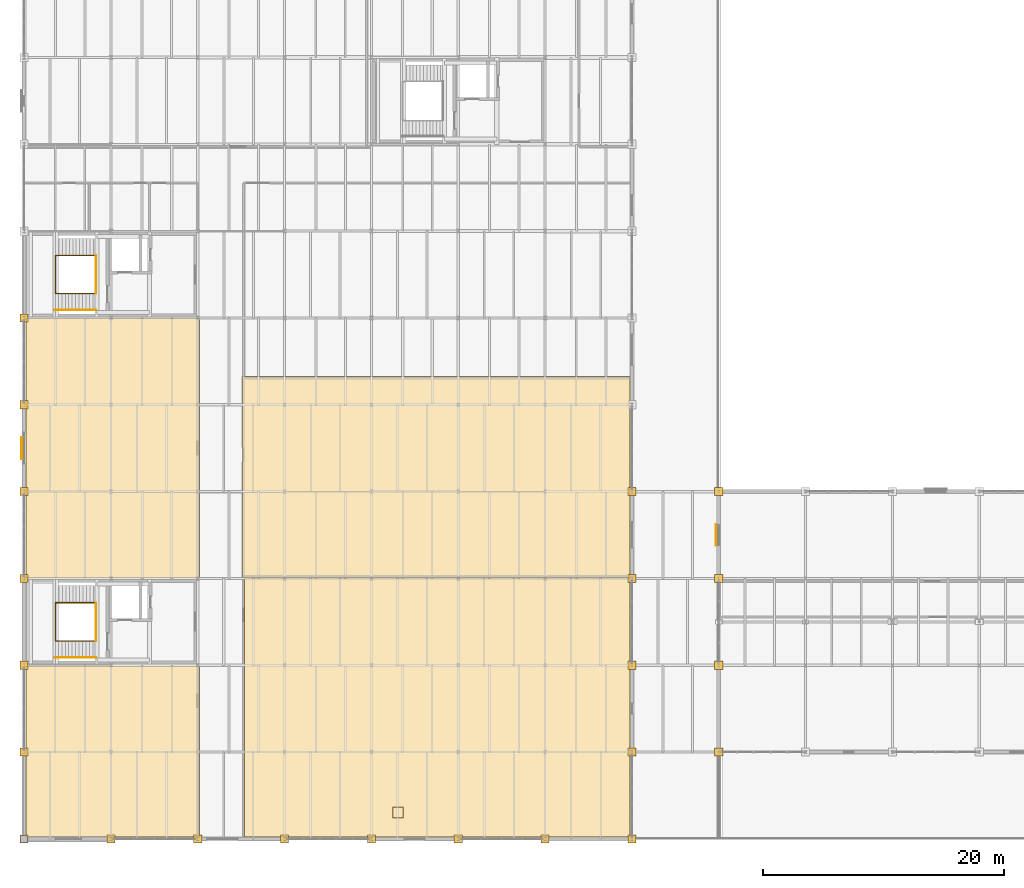
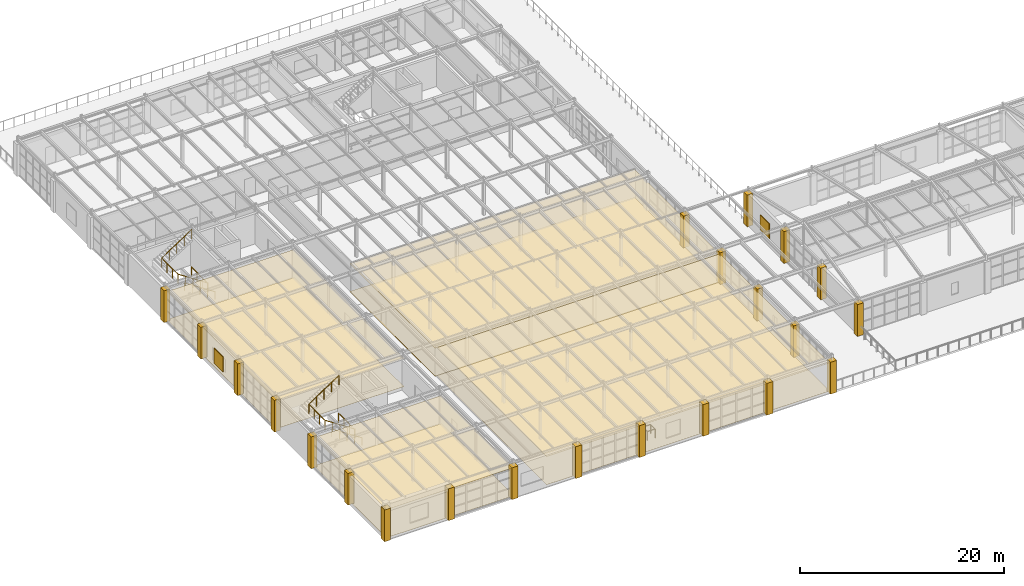
# One storey, part 97 of 101: 30 coverings, 7 railings, 2 shading devices.
"""IFC4 building model written with IfcOpenShell, lengths in metres."""

from ifc_helpers import new_model, si_unit, direction, frame, origin, origin_2d, place, context, subcontext, project, spatial, polyline, rectangle, circle, outline, extrude, material, layer, layer_set, type_object, element, save


model = new_model("IFC4")

# Units and contexts
model_context = context("Model", 3, precision=1e-05, world=origin(), true_north=direction((0.0, 1.0)))
body_context = subcontext(model_context, "Body", "Model", "MODEL_VIEW")
ifc_project = project(units=[si_unit("LENGTHUNIT", "METRE"), si_unit("AREAUNIT", "SQUARE_METRE"), si_unit("VOLUMEUNIT", "CUBIC_METRE"), si_unit("PLANEANGLEUNIT", "RADIAN"), si_unit("MASSUNIT", "GRAM", prefix="KILO")], contexts=[model_context])

# Site, building, storey
site_placement = place(None, origin())
site = spatial("IfcSite", under=ifc_project, at=site_placement, CompositionType="ELEMENT")
building_placement = place(site_placement, origin())
building = spatial("IfcBuilding", under=site, at=building_placement, Name="Kemerveld Promenade Tramway Depot", CompositionType="ELEMENT")
storey_placement = place(building_placement, frame((0.0, 0.0, 9.89990234375)))
storey = spatial("IfcBuildingStorey", under=building, at=storey_placement, Name="L02", CompositionType="ELEMENT", Elevation=9.89990234375)

# Coverings
ifc_material_1 = material(Name="Perforated mineral-fibre acoustic ceiling")
ifc_layer_1 = layer(ifc_material_1, 0.02490234375)
ifc_layer_set_1 = layer_set([ifc_layer_1], Name="COV-CEIL-AC")
covering_type_1 = type_object("IfcCoveringType", Name="COV-CEIL-AC", PredefinedType="CEILING", material=ifc_layer_set_1)
covering_1_placement = place(storey_placement, frame((0.0, 0.0, 3.35498046875)))
element("IfcCovering", 1, at=covering_1_placement, inside=storey, type_object=covering_type_1, Name="CEIL-RM-L02-V5-SIM", PredefinedType="CEILING", context=body_context, shape_type="SweptSolid", body=[
    extrude(outline(polyline([(18.257568359375, 0.14990234375), (50.25, 0.14990234375), (50.25, 21.949951171875), (18.257568359375, 21.949951171875), (18.257568359375, 0.14990234375)])), origin(), (0.0, 0.0, 1.0), 0.025146484375),
])
covering_2_placement = place(storey_placement, frame((0.0, 0.0, 3.35498046875)))
element("IfcCovering", 2, at=covering_2_placement, inside=storey, type_object=covering_type_1, Name="CEIL-RM-L02-V5-TR1", PredefinedType="CEILING", context=body_context, shape_type="SweptSolid", body=[
    extrude(outline(polyline([(0.14990234375, 0.14990234375), (14.550048828125, 0.14990234375), (14.550048828125, 14.35009765625), (0.14990234375, 14.35009765625), (0.14990234375, 0.14990234375)])), origin(), (0.0, 0.0, 1.0), 0.025146484375),
])
covering_3_placement = place(storey_placement, frame((0.0, 0.0, 3.35498046875)))
element("IfcCovering", 3, at=covering_3_placement, inside=storey, type_object=covering_type_1, Name="CEIL-RM-L02-V5-TR2", PredefinedType="CEILING", context=body_context, shape_type="SweptSolid", body=[
    extrude(outline(polyline([(0.14990234375, 21.64990234375), (14.550048828125, 21.64990234375), (14.550048828125, 43.14990234375), (0.14990234375, 43.14990234375), (0.14990234375, 21.64990234375)])), origin(), (0.0, 0.0, 1.0), 0.025146484375),
])
covering_4_placement = place(storey_placement, frame((0.0, 0.0, 3.35498046875)))
element("IfcCovering", 4, at=covering_4_placement, inside=storey, type_object=covering_type_1, Name="CEIL-RM-L02-V5-TR3", PredefinedType="CEILING", context=body_context, shape_type="SweptSolid", body=[
    extrude(outline(polyline([(18.050048828125, 21.64990234375), (50.25, 21.64990234375), (50.25, 38.35009765625), (18.050048828125, 38.35009765625), (18.050048828125, 21.64990234375)])), origin(), (0.0, 0.0, 1.0), 0.025146484375),
])
ifc_material_2 = material(Name="Dressed Harare granite ashlar cladding", Category="masonry")
ifc_layer_2 = layer(ifc_material_2, 0.050048828125)
ifc_layer_set_2 = layer_set([ifc_layer_2], Name="COV-CLAD-GRAN")
covering_type_2 = type_object("IfcCoveringType", Name="COV-CLAD-GRAN", PredefinedType="CLADDING", material=ifc_layer_set_2)
covering_5_placement = place(storey_placement, origin())
element("IfcCovering", 5, at=covering_5_placement, inside=storey, type_object=covering_type_2, Name="CLAD-PIER-L02-293", PredefinedType="CLADDING", context=body_context, shape_type="SweptSolid", body=[
    extrude(outline(polyline([(-0.340087890625, -0.340087890625), (0.340087890625, -0.340087890625), (0.340087890625, 0.340087890625), (-0.340087890625, 0.340087890625), (-0.340087890625, -0.340087890625)])), origin(), (0.0, 0.0, 1.0), 3.800048828125),
])
covering_6_placement = place(storey_placement, origin())
element("IfcCovering", 6, at=covering_6_placement, inside=storey, type_object=covering_type_2, Name="CLAD-PIER-L02-294", PredefinedType="CLADDING", context=body_context, shape_type="SweptSolid", body=[
    extrude(outline(polyline([(-0.340087890625, 6.860107421875), (0.340087890625, 6.860107421875), (0.340087890625, 7.5400390625), (-0.340087890625, 7.5400390625), (-0.340087890625, 6.860107421875)])), origin(), (0.0, 0.0, 1.0), 3.800048828125),
])
covering_7_placement = place(storey_placement, origin())
element("IfcCovering", 7, at=covering_7_placement, inside=storey, type_object=covering_type_2, Name="CLAD-PIER-L02-295", PredefinedType="CLADDING", context=body_context, shape_type="SweptSolid", body=[
    extrude(outline(polyline([(-0.340087890625, 14.06005859375), (0.340087890625, 14.06005859375), (0.340087890625, 14.739990234375), (-0.340087890625, 14.739990234375), (-0.340087890625, 14.06005859375)])), origin(), (0.0, 0.0, 1.0), 3.800048828125),
])
covering_8_placement = place(storey_placement, origin())
element("IfcCovering", 8, at=covering_8_placement, inside=storey, type_object=covering_type_2, Name="CLAD-PIER-L02-296", PredefinedType="CLADDING", context=body_context, shape_type="SweptSolid", body=[
    extrude(outline(polyline([(-0.340087890625, 21.260009765625), (0.340087890625, 21.260009765625), (0.340087890625, 21.93994140625), (-0.340087890625, 21.93994140625), (-0.340087890625, 21.260009765625)])), origin(), (0.0, 0.0, 1.0), 3.800048828125),
])
covering_9_placement = place(storey_placement, origin())
element("IfcCovering", 9, at=covering_9_placement, inside=storey, type_object=covering_type_2, Name="CLAD-PIER-L02-297", PredefinedType="CLADDING", context=body_context, shape_type="SweptSolid", body=[
    extrude(outline(polyline([(-0.340087890625, 28.4599609375), (0.340087890625, 28.4599609375), (0.340087890625, 29.139892578125), (-0.340087890625, 29.139892578125), (-0.340087890625, 28.4599609375)])), origin(), (0.0, 0.0, 1.0), 3.800048828125),
])
covering_10_placement = place(storey_placement, origin())
element("IfcCovering", 10, at=covering_10_placement, inside=storey, type_object=covering_type_2, Name="CLAD-PIER-L02-298", PredefinedType="CLADDING", context=body_context, shape_type="SweptSolid", body=[
    extrude(outline(polyline([(-0.340087890625, 35.659912109375), (0.340087890625, 35.659912109375), (0.340087890625, 36.340087890625), (-0.340087890625, 36.340087890625), (-0.340087890625, 35.659912109375)])), origin(), (0.0, 0.0, 1.0), 3.800048828125),
])
covering_11_placement = place(storey_placement, origin())
element("IfcCovering", 11, at=covering_11_placement, inside=storey, type_object=covering_type_2, Name="CLAD-PIER-L02-299", PredefinedType="CLADDING", context=body_context, shape_type="SweptSolid", body=[
    extrude(outline(polyline([(-0.340087890625, 42.860107421875), (0.340087890625, 42.860107421875), (0.340087890625, 43.5400390625), (-0.340087890625, 43.5400390625), (-0.340087890625, 42.860107421875)])), origin(), (0.0, 0.0, 1.0), 3.800048828125),
])
covering_12_placement = place(storey_placement, origin())
element("IfcCovering", 12, at=covering_12_placement, inside=storey, type_object=covering_type_2, Name="CLAD-PIER-L02-316", PredefinedType="CLADDING", context=body_context, shape_type="SweptSolid", body=[
    extrude(outline(polyline([(50.06005859375, 28.4599609375), (50.739990234375, 28.4599609375), (50.739990234375, 29.139892578125), (50.06005859375, 29.139892578125), (50.06005859375, 28.4599609375)])), origin(), (0.0, 0.0, 1.0), 3.800048828125),
])
covering_13_placement = place(storey_placement, origin())
element("IfcCovering", 13, at=covering_13_placement, inside=storey, type_object=covering_type_2, Name="CLAD-PIER-L02-317", PredefinedType="CLADDING", context=body_context, shape_type="SweptSolid", body=[
    extrude(outline(polyline([(50.06005859375, 21.260009765625), (50.739990234375, 21.260009765625), (50.739990234375, 21.93994140625), (50.06005859375, 21.93994140625), (50.06005859375, 21.260009765625)])), origin(), (0.0, 0.0, 1.0), 3.800048828125),
])
covering_14_placement = place(storey_placement, origin())
element("IfcCovering", 14, at=covering_14_placement, inside=storey, type_object=covering_type_2, Name="CLAD-PIER-L02-318", PredefinedType="CLADDING", context=body_context, shape_type="SweptSolid", body=[
    extrude(outline(polyline([(50.06005859375, 14.06005859375), (50.739990234375, 14.06005859375), (50.739990234375, 14.739990234375), (50.06005859375, 14.739990234375), (50.06005859375, 14.06005859375)])), origin(), (0.0, 0.0, 1.0), 3.800048828125),
])
covering_15_placement = place(storey_placement, origin())
element("IfcCovering", 15, at=covering_15_placement, inside=storey, type_object=covering_type_2, Name="CLAD-PIER-L02-319", PredefinedType="CLADDING", context=body_context, shape_type="SweptSolid", body=[
    extrude(outline(polyline([(50.06005859375, 6.860107421875), (50.739990234375, 6.860107421875), (50.739990234375, 7.5400390625), (50.06005859375, 7.5400390625), (50.06005859375, 6.860107421875)])), origin(), (0.0, 0.0, 1.0), 3.800048828125),
])
covering_16_placement = place(storey_placement, origin())
element("IfcCovering", 16, at=covering_16_placement, inside=storey, type_object=covering_type_2, Name="CLAD-PIER-L02-320", PredefinedType="CLADDING", context=body_context, shape_type="SweptSolid", body=[
    extrude(outline(polyline([(50.06005859375, -0.340087890625), (50.739990234375, -0.340087890625), (50.739990234375, 0.340087890625), (50.06005859375, 0.340087890625), (50.06005859375, -0.340087890625)])), origin(), (0.0, 0.0, 1.0), 3.800048828125),
])
covering_17_placement = place(storey_placement, origin())
element("IfcCovering", 17, at=covering_17_placement, inside=storey, type_object=covering_type_2, Name="CLAD-PIER-L02-321", PredefinedType="CLADDING", context=body_context, shape_type="SweptSolid", body=[
    extrude(outline(polyline([(42.860107421875, -0.340087890625), (43.5400390625, -0.340087890625), (43.5400390625, 0.340087890625), (42.860107421875, 0.340087890625), (42.860107421875, -0.340087890625)])), origin(), (0.0, 0.0, 1.0), 3.800048828125),
])
covering_18_placement = place(storey_placement, origin())
element("IfcCovering", 18, at=covering_18_placement, inside=storey, type_object=covering_type_2, Name="CLAD-PIER-L02-322", PredefinedType="CLADDING", context=body_context, shape_type="SweptSolid", body=[
    extrude(outline(polyline([(35.659912109375, -0.340087890625), (36.340087890625, -0.340087890625), (36.340087890625, 0.340087890625), (35.659912109375, 0.340087890625), (35.659912109375, -0.340087890625)])), origin(), (0.0, 0.0, 1.0), 3.800048828125),
])
covering_19_placement = place(storey_placement, origin())
element("IfcCovering", 19, at=covering_19_placement, inside=storey, type_object=covering_type_2, Name="CLAD-PIER-L02-323", PredefinedType="CLADDING", context=body_context, shape_type="SweptSolid", body=[
    extrude(outline(polyline([(28.4599609375, -0.340087890625), (29.139892578125, -0.340087890625), (29.139892578125, 0.340087890625), (28.4599609375, 0.340087890625), (28.4599609375, -0.340087890625)])), origin(), (0.0, 0.0, 1.0), 3.800048828125),
])
covering_20_placement = place(storey_placement, origin())
element("IfcCovering", 20, at=covering_20_placement, inside=storey, type_object=covering_type_2, Name="CLAD-PIER-L02-324", PredefinedType="CLADDING", context=body_context, shape_type="SweptSolid", body=[
    extrude(outline(polyline([(21.260009765625, -0.340087890625), (21.93994140625, -0.340087890625), (21.93994140625, 0.340087890625), (21.260009765625, 0.340087890625), (21.260009765625, -0.340087890625)])), origin(), (0.0, 0.0, 1.0), 3.800048828125),
])
covering_21_placement = place(storey_placement, origin())
element("IfcCovering", 21, at=covering_21_placement, inside=storey, type_object=covering_type_2, Name="CLAD-PIER-L02-325", PredefinedType="CLADDING", context=body_context, shape_type="SweptSolid", body=[
    extrude(outline(polyline([(14.06005859375, -0.340087890625), (14.739990234375, -0.340087890625), (14.739990234375, 0.340087890625), (14.06005859375, 0.340087890625), (14.06005859375, -0.340087890625)])), origin(), (0.0, 0.0, 1.0), 3.800048828125),
])
covering_22_placement = place(storey_placement, origin())
element("IfcCovering", 22, at=covering_22_placement, inside=storey, type_object=covering_type_2, Name="CLAD-PIER-L02-326", PredefinedType="CLADDING", context=body_context, shape_type="SweptSolid", body=[
    extrude(outline(polyline([(6.860107421875, -0.340087890625), (7.5400390625, -0.340087890625), (7.5400390625, 0.340087890625), (6.860107421875, 0.340087890625), (6.860107421875, -0.340087890625)])), origin(), (0.0, 0.0, 1.0), 3.800048828125),
])
covering_23_placement = place(storey_placement, origin())
element("IfcCovering", 23, at=covering_23_placement, inside=storey, type_object=covering_type_2, Name="CLAD-PIER-L02-337", PredefinedType="CLADDING", context=body_context, shape_type="SweptSolid", body=[
    extrude(outline(polyline([(57.260009765625, 28.4599609375), (57.93994140625, 28.4599609375), (57.93994140625, 29.139892578125), (57.260009765625, 29.139892578125), (57.260009765625, 28.4599609375)])), origin(), (0.0, 0.0, 1.0), 3.800048828125),
])
covering_24_placement = place(storey_placement, origin())
element("IfcCovering", 24, at=covering_24_placement, inside=storey, type_object=covering_type_2, Name="CLAD-PIER-L02-350", PredefinedType="CLADDING", context=body_context, shape_type="SweptSolid", body=[
    extrude(outline(polyline([(57.260009765625, 6.860107421875), (57.93994140625, 6.860107421875), (57.93994140625, 7.5400390625), (57.260009765625, 7.5400390625), (57.260009765625, 6.860107421875)])), origin(), (0.0, 0.0, 1.0), 3.800048828125),
])
covering_25_placement = place(storey_placement, origin())
element("IfcCovering", 25, at=covering_25_placement, inside=storey, type_object=covering_type_2, Name="CLAD-PIER-L02-351", PredefinedType="CLADDING", context=body_context, shape_type="SweptSolid", body=[
    extrude(outline(polyline([(57.260009765625, 14.06005859375), (57.93994140625, 14.06005859375), (57.93994140625, 14.739990234375), (57.260009765625, 14.739990234375), (57.260009765625, 14.06005859375)])), origin(), (0.0, 0.0, 1.0), 3.800048828125),
])
covering_26_placement = place(storey_placement, origin())
element("IfcCovering", 26, at=covering_26_placement, inside=storey, type_object=covering_type_2, Name="CLAD-PIER-L02-352", PredefinedType="CLADDING", context=body_context, shape_type="SweptSolid", body=[
    extrude(outline(polyline([(57.260009765625, 21.260009765625), (57.93994140625, 21.260009765625), (57.93994140625, 21.93994140625), (57.260009765625, 21.93994140625), (57.260009765625, 21.260009765625)])), origin(), (0.0, 0.0, 1.0), 3.800048828125),
])
ifc_material_3 = material(Name="Honed Harare granite terrazzo flooring", Category="masonry")
ifc_layer_3 = layer(ifc_material_3, 0.02001953125)
ifc_layer_set_3 = layer_set([ifc_layer_3], Name="COV-FLR-TERR")
covering_type_3 = type_object("IfcCoveringType", Name="COV-FLR-TERR", PredefinedType="FLOORING", material=ifc_layer_set_3)
covering_27_placement = place(storey_placement, origin())
element("IfcCovering", 27, at=covering_27_placement, inside=storey, type_object=covering_type_3, Name="FLR-RM-L02-V5-SIM", PredefinedType="FLOORING", context=body_context, shape_type="SweptSolid", body=[
    extrude(outline(polyline([(18.257568359375, 0.14990234375), (50.25, 0.14990234375), (50.25, 21.949951171875), (18.257568359375, 21.949951171875), (18.257568359375, 0.14990234375)])), origin(), (0.0, 0.0, 1.0), 0.02001953125),
])
covering_28_placement = place(storey_placement, origin())
element("IfcCovering", 28, at=covering_28_placement, inside=storey, type_object=covering_type_3, Name="FLR-RM-L02-V5-TR1", PredefinedType="FLOORING", context=body_context, shape_type="SweptSolid", body=[
    extrude(outline(polyline([(0.14990234375, 0.14990234375), (14.550048828125, 0.14990234375), (14.550048828125, 14.35009765625), (0.14990234375, 14.35009765625), (0.14990234375, 0.14990234375)])), origin(), (0.0, 0.0, 1.0), 0.02001953125),
])
covering_29_placement = place(storey_placement, origin())
element("IfcCovering", 29, at=covering_29_placement, inside=storey, type_object=covering_type_3, Name="FLR-RM-L02-V5-TR2", PredefinedType="FLOORING", context=body_context, shape_type="SweptSolid", body=[
    extrude(outline(polyline([(0.14990234375, 21.64990234375), (14.550048828125, 21.64990234375), (14.550048828125, 43.14990234375), (0.14990234375, 43.14990234375), (0.14990234375, 21.64990234375)])), origin(), (0.0, 0.0, 1.0), 0.02001953125),
])
covering_30_placement = place(storey_placement, origin())
element("IfcCovering", 30, at=covering_30_placement, inside=storey, type_object=covering_type_3, Name="FLR-RM-L02-V5-TR3", PredefinedType="FLOORING", context=body_context, shape_type="SweptSolid", body=[
    extrude(outline(polyline([(18.050048828125, 21.64990234375), (50.25, 21.64990234375), (50.25, 38.35009765625), (18.050048828125, 38.35009765625), (18.050048828125, 21.64990234375)])), origin(), (0.0, 0.0, 1.0), 0.02001953125),
])

# Railings
ifc_material_4 = material(Name="Galvanised painted steel balustrade", Category="steel")
railing_type_1 = type_object("IfcRailingType", Name="RL-GRD-1100", PredefinedType="GUARDRAIL", material=ifc_material_4)
railing_1_placement = place(storey_placement, frame((5.97998046875, 16.4150390625, 0.0)))
element("IfcRailing", 31, at=railing_1_placement, inside=storey, type_object=railing_type_1, Name="RL-GRD-ST-01-L02", PredefinedType="GUARDRAIL", context=body_context, shape_type="SweptSolid", body=[
    extrude(circle(Radius=0.02392578125, at=origin_2d()), frame((0.0, 0.0, 1.09619140625), z_axis=(-0.833174834292, 0.0, 0.553009670352), x_axis=(0.0, -1.0, 0.0)), (0.0, 0.0, 1.0), 4.068603515625),
    extrude(circle(Radius=0.02392578125, at=origin_2d()), frame((-3.389892578125, 0.0, 3.34619140625), z_axis=(0.0, 1.0, 0.0), x_axis=(-1.0, 0.0, 0.0)), (0.0, 0.0, 1.0), 3.169921875),
    extrude(circle(Radius=0.02392578125, at=origin_2d()), frame((-3.389892578125, 3.169921875, 3.34619140625), z_axis=(0.833174834292, 0.0, 0.553009670352), x_axis=(0.0, 1.0, 0.0)), (0.0, 0.0, 1.0), 4.068603515625),
    extrude(circle(Radius=0.02099609375, at=origin_2d()), origin(), (0.0, 0.0, 1.0), 1.072021484375),
    extrude(circle(Radius=0.02099609375, at=origin_2d()), frame((-0.847412109375, 0.0, 0.5625)), (0.0, 0.0, 1.0), 1.072021484375),
    extrude(circle(Radius=0.02099609375, at=origin_2d()), frame((-1.69482421875, 0.0, 1.125)), (0.0, 0.0, 1.0), 1.072021484375),
    extrude(circle(Radius=0.02099609375, at=origin_2d()), frame((-2.54248046875, 0.0, 1.6875)), (0.0, 0.0, 1.0), 1.072021484375),
    extrude(circle(Radius=0.02099609375, at=origin_2d()), frame((-3.389892578125, 0.0, 2.25)), (0.0, 0.0, 1.0), 1.072021484375),
    extrude(circle(Radius=0.02099609375, at=origin_2d()), frame((-3.389892578125, 1.056640625, 2.25)), (0.0, 0.0, 1.0), 1.072021484375),
    extrude(circle(Radius=0.02099609375, at=origin_2d()), frame((-3.389892578125, 2.11328125, 2.25)), (0.0, 0.0, 1.0), 1.072021484375),
    extrude(circle(Radius=0.02099609375, at=origin_2d()), frame((-3.389892578125, 3.169921875, 2.25)), (0.0, 0.0, 1.0), 1.072021484375),
    extrude(circle(Radius=0.02099609375, at=origin_2d()), frame((-2.54248046875, 3.169921875, 2.8125)), (0.0, 0.0, 1.0), 1.072021484375),
    extrude(circle(Radius=0.02099609375, at=origin_2d()), frame((-1.69482421875, 3.169921875, 3.375)), (0.0, 0.0, 1.0), 1.072021484375),
    extrude(circle(Radius=0.02099609375, at=origin_2d()), frame((-0.847412109375, 3.169921875, 3.9375)), (0.0, 0.0, 1.0), 1.072021484375),
    extrude(circle(Radius=0.02099609375, at=origin_2d()), frame((0.0, 3.169921875, 4.5)), (0.0, 0.0, 1.0), 1.072021484375),
])
railing_2_placement = place(storey_placement, frame((5.949951171875, 16.425048828125, 0.0)))
element("IfcRailing", 32, at=railing_2_placement, inside=storey, type_object=railing_type_1, Name="RL-SLOT-C1-L02", PredefinedType="GUARDRAIL", context=body_context, shape_type="SweptSolid", body=[
    extrude(circle(Radius=0.02392578125, at=origin_2d()), frame((0.0, 0.0, 1.09619140625), z_axis=(0.0, 1.0, 0.0), x_axis=(-1.0, 0.0, 0.0)), (0.0, 0.0, 1.0), 3.14990234375),
    extrude(circle(Radius=0.02099609375, at=origin_2d()), origin(), (0.0, 0.0, 1.0), 1.072021484375),
    extrude(circle(Radius=0.02099609375, at=origin_2d()), frame((0.0, 1.050048828125, 0.0)), (0.0, 0.0, 1.0), 1.072021484375),
    extrude(circle(Radius=0.02099609375, at=origin_2d()), frame((0.0, 2.099853515625, 0.0)), (0.0, 0.0, 1.0), 1.072021484375),
    extrude(circle(Radius=0.02099609375, at=origin_2d()), frame((0.0, 3.14990234375, 0.0)), (0.0, 0.0, 1.0), 1.072021484375),
])
railing_3_placement = place(storey_placement, frame((5.97998046875, 45.215087890625, 0.0)))
element("IfcRailing", 33, at=railing_3_placement, inside=storey, type_object=railing_type_1, Name="RL-GRD-ST-02-L02", PredefinedType="GUARDRAIL", context=body_context, shape_type="SweptSolid", body=[
    extrude(circle(Radius=0.02392578125, at=origin_2d()), frame((0.0, 0.0, 1.09619140625), z_axis=(-0.833174834292, 0.0, 0.553009670352), x_axis=(0.0, -1.0, 0.0)), (0.0, 0.0, 1.0), 4.068603515625),
    extrude(circle(Radius=0.02392578125, at=origin_2d()), frame((-3.389892578125, 0.0, 3.34619140625), z_axis=(0.0, 1.0, 0.0), x_axis=(-1.0, 0.0, 0.0)), (0.0, 0.0, 1.0), 3.169921875),
    extrude(circle(Radius=0.02392578125, at=origin_2d()), frame((-3.389892578125, 3.169921875, 3.34619140625), z_axis=(0.833174834292, 0.0, 0.553009670352), x_axis=(0.0, 1.0, 0.0)), (0.0, 0.0, 1.0), 4.068603515625),
    extrude(circle(Radius=0.02099609375, at=origin_2d()), origin(), (0.0, 0.0, 1.0), 1.072021484375),
    extrude(circle(Radius=0.02099609375, at=origin_2d()), frame((-0.847412109375, 0.0, 0.5625)), (0.0, 0.0, 1.0), 1.072021484375),
    extrude(circle(Radius=0.02099609375, at=origin_2d()), frame((-1.69482421875, 0.0, 1.125)), (0.0, 0.0, 1.0), 1.072021484375),
    extrude(circle(Radius=0.02099609375, at=origin_2d()), frame((-2.54248046875, 0.0, 1.6875)), (0.0, 0.0, 1.0), 1.072021484375),
    extrude(circle(Radius=0.02099609375, at=origin_2d()), frame((-3.389892578125, 0.0, 2.25)), (0.0, 0.0, 1.0), 1.072021484375),
    extrude(circle(Radius=0.02099609375, at=origin_2d()), frame((-3.389892578125, 1.056640625, 2.25)), (0.0, 0.0, 1.0), 1.072021484375),
    extrude(circle(Radius=0.02099609375, at=origin_2d()), frame((-3.389892578125, 2.11328125, 2.25)), (0.0, 0.0, 1.0), 1.072021484375),
    extrude(circle(Radius=0.02099609375, at=origin_2d()), frame((-3.389892578125, 3.169921875, 2.25)), (0.0, 0.0, 1.0), 1.072021484375),
    extrude(circle(Radius=0.02099609375, at=origin_2d()), frame((-2.54248046875, 3.169921875, 2.8125)), (0.0, 0.0, 1.0), 1.072021484375),
    extrude(circle(Radius=0.02099609375, at=origin_2d()), frame((-1.69482421875, 3.169921875, 3.375)), (0.0, 0.0, 1.0), 1.072021484375),
    extrude(circle(Radius=0.02099609375, at=origin_2d()), frame((-0.847412109375, 3.169921875, 3.9375)), (0.0, 0.0, 1.0), 1.072021484375),
    extrude(circle(Radius=0.02099609375, at=origin_2d()), frame((0.0, 3.169921875, 4.5)), (0.0, 0.0, 1.0), 1.072021484375),
])
railing_4_placement = place(storey_placement, frame((5.949951171875, 45.22509765625, 0.0)))
element("IfcRailing", 34, at=railing_4_placement, inside=storey, type_object=railing_type_1, Name="RL-SLOT-C2-L02", PredefinedType="GUARDRAIL", context=body_context, shape_type="SweptSolid", body=[
    extrude(circle(Radius=0.02392578125, at=origin_2d()), frame((0.0, 0.0, 1.09619140625), z_axis=(0.0, 1.0, 0.0), x_axis=(-1.0, 0.0, 0.0)), (0.0, 0.0, 1.0), 3.14990234375),
    extrude(circle(Radius=0.02099609375, at=origin_2d()), origin(), (0.0, 0.0, 1.0), 1.072021484375),
    extrude(circle(Radius=0.02099609375, at=origin_2d()), frame((0.0, 1.050048828125, 0.0)), (0.0, 0.0, 1.0), 1.072021484375),
    extrude(circle(Radius=0.02099609375, at=origin_2d()), frame((0.0, 2.099853515625, 0.0)), (0.0, 0.0, 1.0), 1.072021484375),
    extrude(circle(Radius=0.02099609375, at=origin_2d()), frame((0.0, 3.14990234375, 0.0)), (0.0, 0.0, 1.0), 1.072021484375),
])
railing_5_placement = place(storey_placement, frame((30.56005859375, 1.760009765625, 0.0)))
element("IfcRailing", 35, at=railing_5_placement, inside=storey, type_object=railing_type_1, Name="RL-DUCT-L02-07", PredefinedType="GUARDRAIL", context=body_context, shape_type="SweptSolid", body=[
    extrude(circle(Radius=0.02392578125, at=origin_2d()), frame((0.0, 0.0, 1.09619140625), z_axis=(1.0, 0.0, 0.0), x_axis=(0.0, 1.0, 0.0)), (0.0, 0.0, 1.0), 0.8798828125),
    extrude(circle(Radius=0.02392578125, at=origin_2d()), frame((0.8798828125, 0.0, 1.09619140625), z_axis=(0.0, 1.0, 0.0), x_axis=(-1.0, 0.0, 0.0)), (0.0, 0.0, 1.0), 0.8798828125),
    extrude(circle(Radius=0.02392578125, at=origin_2d()), frame((0.8798828125, 0.8798828125, 1.09619140625), z_axis=(-1.0, 0.0, 0.0), x_axis=(0.0, -1.0, 0.0)), (0.0, 0.0, 1.0), 0.8798828125),
    extrude(circle(Radius=0.02392578125, at=origin_2d()), frame((0.0, 0.8798828125, 1.09619140625), z_axis=(0.0, -1.0, 0.0), x_axis=(1.0, 0.0, 0.0)), (0.0, 0.0, 1.0), 0.81982421875),
    extrude(circle(Radius=0.02099609375, at=origin_2d()), origin(), (0.0, 0.0, 1.0), 1.072021484375),
    extrude(circle(Radius=0.02099609375, at=origin_2d()), frame((0.8798828125, 0.0, 0.0)), (0.0, 0.0, 1.0), 1.072021484375),
    extrude(circle(Radius=0.02099609375, at=origin_2d()), frame((0.8798828125, 0.8798828125, 0.0)), (0.0, 0.0, 1.0), 1.072021484375),
    extrude(circle(Radius=0.02099609375, at=origin_2d()), frame((0.0, 0.8798828125, 0.0)), (0.0, 0.0, 1.0), 1.072021484375),
    extrude(circle(Radius=0.02099609375, at=origin_2d()), frame((0.0, 0.06005859375, 0.0)), (0.0, 0.0, 1.0), 1.072021484375),
])
ifc_material_5 = material(Name="Brushed stainless steel tubular handrail", Category="steel")
railing_type_2 = type_object("IfcRailingType", Name="RL-HR-920", PredefinedType="HANDRAIL", material=ifc_material_5)
for number, where, name in (
    (36, (5.97998046875, 15.044921875, 0.0), "RL-HR-ST-01-L02"),
    (37, (5.97998046875, 43.844970703125, 0.0), "RL-HR-ST-02-L02"),
):
    element("IfcRailing", number, at=place(storey_placement, frame(where)), inside=storey, type_object=railing_type_2, Name=name, PredefinedType="HANDRAIL", context=body_context, shape_type="SweptSolid", body=[
        extrude(circle(Radius=0.02392578125, at=origin_2d()), frame((0.0, 0.0, 0.89599609375), z_axis=(-0.835411317272, 0.0, 0.549625264133), x_axis=(0.0, -1.0, 0.0)), (0.0, 0.0, 1.0), 4.09375),
        extrude(circle(Radius=0.02099609375, at=origin_2d()), origin(), (0.0, 0.0, 1.0), 0.871826171875),
        extrude(circle(Radius=0.02099609375, at=origin_2d()), frame((-0.85498046875, 0.0, 0.5625)), (0.0, 0.0, 1.0), 0.871826171875),
        extrude(circle(Radius=0.02099609375, at=origin_2d()), frame((-1.7099609375, 0.0, 1.125)), (0.0, 0.0, 1.0), 0.871826171875),
        extrude(circle(Radius=0.02099609375, at=origin_2d()), frame((-2.56494140625, 0.0, 1.6875)), (0.0, 0.0, 1.0), 0.871826171875),
        extrude(circle(Radius=0.02099609375, at=origin_2d()), frame((-3.419921875, 0.0, 2.25)), (0.0, 0.0, 1.0), 0.871826171875),
    ])

# Shading devices
ifc_material_6 = material(Name="Perforated bronze-aluminium sun screen", Category="aluminium")
ifc_layer_4 = layer(ifc_material_6, 0.080078125)
ifc_layer_set_4 = layer_set([ifc_layer_4], Name="SHD-SCREEN")
shading_device_type = type_object("IfcShadingDeviceType", Name="SHD-SCREEN", PredefinedType="SHUTTER", material=ifc_layer_set_4)
for number, where, z_axis, x_axis, name in (
    (38, (-0.199951171875, 32.39990234375, 0.92529296875), (0.0, 0.0, 1.0), (1.0, 0.0, 0.0), "SHD-L02-020"),
    (39, (57.39990234375, 25.199951171875, 1.05029296875), (0.0, 0.0, 1.0), (1.0, 0.0, 0.0), "SHD-L02-028"),
):
    element("IfcShadingDevice", number, at=place(storey_placement, frame(where, z_axis=z_axis, x_axis=x_axis)), inside=storey, type_object=shading_device_type, Name=name, PredefinedType="SHUTTER", context=body_context, shape_type="SweptSolid", body=[
        extrude(rectangle(XDim=0.080078125, YDim=1.800048828125, at=origin_2d()), origin(), (0.0, 0.0, 1.0), 1.800048828125),
    ])

save(model, "model.ifc")
